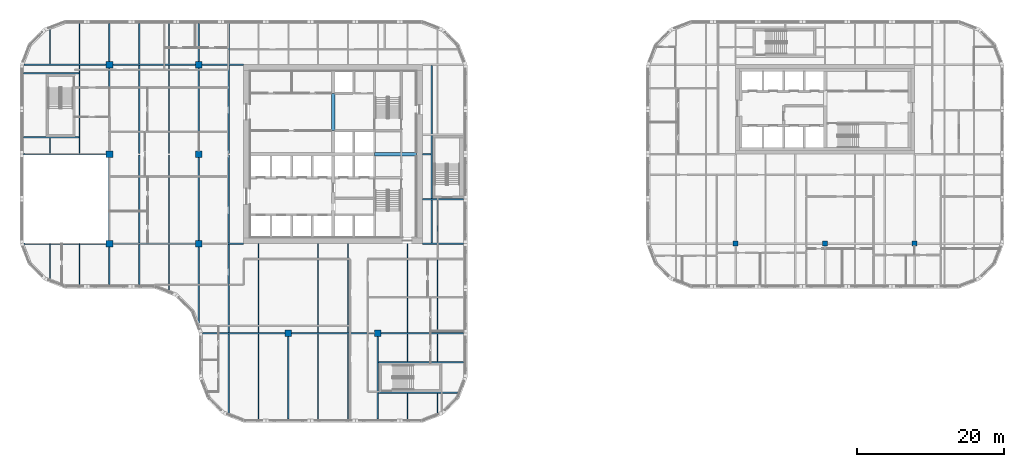
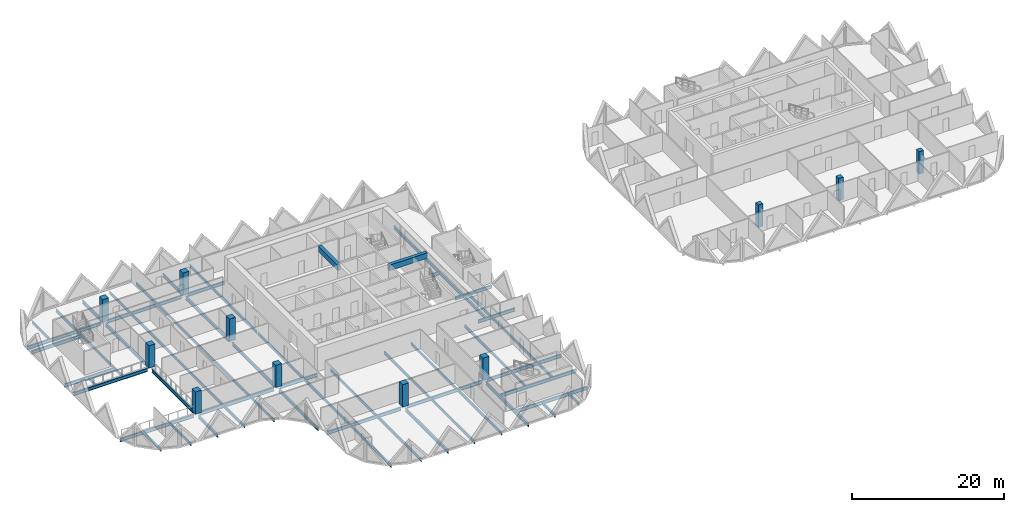
# One storey, part 1 of 19: 62 beams, 11 columns.
"""IFC4 building model written with IfcOpenShell, lengths in metres."""

from ifc_helpers import new_model, si_unit, direction, frame, origin, origin_2d, place, context, subcontext, project, spatial, rectangle, i_section, extrude, material, material_profile, profile_set, type_object, element, save


model = new_model("IFC4")

# Units and contexts
model_context = context("Model", 3, precision=1e-05, world=origin(), true_north=direction((0.0, 1.0)))
body_context = subcontext(model_context, "Body", "Model", "MODEL_VIEW")
ifc_project = project(units=[si_unit("LENGTHUNIT", "METRE"), si_unit("AREAUNIT", "SQUARE_METRE"), si_unit("VOLUMEUNIT", "CUBIC_METRE"), si_unit("PLANEANGLEUNIT", "RADIAN"), si_unit("MASSUNIT", "GRAM", prefix="KILO")], contexts=[model_context])

# Site, building, storey
site_placement = place(None, origin())
site = spatial("IfcSite", under=ifc_project, at=site_placement, CompositionType="ELEMENT")
building_placement = place(site_placement, origin())
building = spatial("IfcBuilding", under=site, at=building_placement, Name="Tessera Gate Towers", CompositionType="ELEMENT")
storey_placement = place(building_placement, frame((0.0, 0.0, 68.60009765625)))
storey = spatial("IfcBuildingStorey", under=building, at=storey_placement, Name="L16", CompositionType="ELEMENT", Elevation=68.60009765625)

# Columns
ifc_material_1 = material(Name="Concrete C70/85", Category="concrete")
ifc_material_profile_1 = material_profile(ifc_material_1, rectangle(XDim=0.699951171875, YDim=0.699951171875, at=origin_2d()), Name="RC 700x700")
ifc_profile_set_1 = profile_set([ifc_material_profile_1], Name="Concrete C70/85")
column_type_1 = type_object("IfcColumnType", Name="COLUMN RC 700x700", PredefinedType="COLUMN", material=ifc_profile_set_1)
for number, where, z_axis, x_axis, name in (
    (1, (97.60009765625, 24.39990234375, 0.0), (0.0, 0.0, 1.0), (1.0, 0.0, 0.0), "T2-COL-9C-L16"),
    (2, (109.800048828125, 24.39990234375, 0.0), (0.0, 0.0, 1.0), (1.0, 0.0, 0.0), "T2-COL-10C-L16"),
    (3, (122.0, 24.39990234375, 0.0), (0.0, 0.0, 1.0), (1.0, 0.0, 0.0), "T2-COL-11C-L16"),
):
    element("IfcColumn", number, at=place(storey_placement, frame(where, z_axis=z_axis, x_axis=x_axis)), inside=storey, type_object=column_type_1, Name=name, PredefinedType="COLUMN", context=body_context, shape_type="SweptSolid", body=[
        extrude(rectangle(XDim=0.699951171875, YDim=0.699951171875, at=origin_2d()), origin(), (0.0, 0.0, 1.0), 3.599853515625),
    ])
ifc_material_2 = material(Name="Concrete C70/85", Category="concrete")
ifc_material_profile_2 = material_profile(ifc_material_2, rectangle(XDim=0.89990234375, YDim=0.89990234375, at=origin_2d()), Name="RC 900x900")
ifc_profile_set_2 = profile_set([ifc_material_profile_2], Name="Concrete C70/85")
column_type_2 = type_object("IfcColumnType", Name="COLUMN RC 900x900", PredefinedType="COLUMN", material=ifc_profile_set_2)
for number, where, z_axis, x_axis, name in (
    (4, (12.199951171875, 24.39990234375, 0.0), (0.0, 0.0, 1.0), (1.0, 0.0, 0.0), "T1-COL-2C-L16"),
    (5, (12.199951171875, 36.60009765625, 0.0), (0.0, 0.0, 1.0), (1.0, 0.0, 0.0), "T1-COL-2D-L16"),
    (6, (12.199951171875, 48.800048828125, 0.0), (0.0, 0.0, 1.0), (1.0, 0.0, 0.0), "T1-COL-2E-L16"),
    (7, (24.39990234375, 24.39990234375, 0.0), (0.0, 0.0, 1.0), (1.0, 0.0, 0.0), "T1-COL-3C-L16"),
    (8, (24.39990234375, 36.60009765625, 0.0), (0.0, 0.0, 1.0), (1.0, 0.0, 0.0), "T1-COL-3D-L16"),
    (9, (24.39990234375, 48.800048828125, 0.0), (0.0, 0.0, 1.0), (1.0, 0.0, 0.0), "T1-COL-3E-L16"),
    (10, (36.60009765625, 12.199951171875, 0.0), (0.0, 0.0, 1.0), (1.0, 0.0, 0.0), "T1-COL-4B-L16"),
    (11, (48.800048828125, 12.199951171875, 0.0), (0.0, 0.0, 1.0), (1.0, 0.0, 0.0), "T1-COL-5B-L16"),
):
    element("IfcColumn", number, at=place(storey_placement, frame(where, z_axis=z_axis, x_axis=x_axis)), inside=storey, type_object=column_type_2, Name=name, PredefinedType="COLUMN", context=body_context, shape_type="SweptSolid", body=[
        extrude(rectangle(XDim=0.89990234375, YDim=0.89990234375, at=origin_2d()), origin(), (0.0, 0.0, 1.0), 3.599853515625),
    ])

# Beams
ifc_material_3 = material(Name="Concrete C60/75", Category="concrete")
ifc_material_profile_3 = material_profile(ifc_material_3, rectangle(XDim=0.5, YDim=0.89990234375, at=origin_2d()), Name="RC 500x900")
ifc_profile_set_3 = profile_set([ifc_material_profile_3], Name="Concrete C60/75")
beam_type_1 = type_object("IfcBeamType", Name="COUPLING BEAM 500x900 C60/75", PredefinedType="BEAM", material=ifc_profile_set_3)
beam_1_placement = place(storey_placement, frame((48.35009765625, 36.60009765625, 3.14990234375), z_axis=(1.0, 0.0, 0.0), x_axis=(0.0, 1.0, 0.0)))
element("IfcBeam", 12, at=beam_1_placement, inside=storey, type_object=beam_type_1, Name="L16 coupling beam 1", PredefinedType="BEAM", context=body_context, shape_type="SweptSolid", body=[
    extrude(rectangle(XDim=0.5, YDim=0.89990234375, at=origin_2d()), origin(), (0.0, 0.0, 1.0), 5.75),
])
beam_2_placement = place(storey_placement, frame((42.699951171875, 39.800048828125, 3.14990234375), z_axis=(0.0, 1.0, 0.0), x_axis=(-1.0, 0.0, 0.0)))
element("IfcBeam", 13, at=beam_2_placement, inside=storey, type_object=beam_type_1, Name="L16 coupling beam 2", PredefinedType="BEAM", context=body_context, shape_type="SweptSolid", body=[
    extrude(rectangle(XDim=0.5, YDim=0.89990234375, at=origin_2d()), origin(), (0.0, 0.0, 1.0), 5.099853515625),
])
ifc_material_4 = material(Name="Steel 350W", Category="steel")
ifc_material_profile_4 = material_profile(ifc_material_4, i_section(OverallWidth=0.208984375, OverallDepth=0.532958984375, WebThickness=0.01025390625, FlangeThickness=0.015625, at=origin_2d()), Name="W530x92")
ifc_profile_set_4 = profile_set([ifc_material_profile_4], Name="Steel 350W")
beam_type_2 = type_object("IfcBeamType", Name="FLOOR GIRDER W530x92", PredefinedType="BEAM", material=ifc_profile_set_4)
beam_3_placement = place(storey_placement, frame((24.89892578125, 12.199951171875, -0.466552734375), z_axis=(1.0, 0.0, 0.0), x_axis=(0.0, 1.0, 0.0)))
element("IfcBeam", 14, at=beam_3_placement, inside=storey, type_object=beam_type_2, Name="T1-GD-L16-2230", PredefinedType="BEAM", context=body_context, shape_type="SweptSolid", body=[
    extrude(i_section(OverallWidth=0.208984375, OverallDepth=0.532958984375, WebThickness=0.01025390625, FlangeThickness=0.015625, at=origin_2d()), origin(), (0.0, 0.0, 1.0), 11.2509765625),
])
beam_4_placement = place(storey_placement, frame((37.050048828125, 12.199951171875, -0.466552734375), z_axis=(1.0, 0.0, 0.0), x_axis=(0.0, 1.0, 0.0)))
element("IfcBeam", 15, at=beam_4_placement, inside=storey, type_object=beam_type_2, Name="T1-GD-L16-2231", PredefinedType="BEAM", context=body_context, shape_type="SweptSolid", body=[
    extrude(i_section(OverallWidth=0.208984375, OverallDepth=0.532958984375, WebThickness=0.01025390625, FlangeThickness=0.015625, at=origin_2d()), origin(), (0.0, 0.0, 1.0), 11.300048828125),
])
beam_5_placement = place(storey_placement, frame((49.25, 12.199951171875, -0.466552734375), z_axis=(1.0, 0.0, 0.0), x_axis=(0.0, 1.0, 0.0)))
element("IfcBeam", 16, at=beam_5_placement, inside=storey, type_object=beam_type_2, Name="T1-GD-L16-2232", PredefinedType="BEAM", context=body_context, shape_type="SweptSolid", body=[
    extrude(i_section(OverallWidth=0.208984375, OverallDepth=0.532958984375, WebThickness=0.01025390625, FlangeThickness=0.015625, at=origin_2d()), origin(), (0.0, 0.0, 1.0), 11.2509765625),
])
beam_6_placement = place(storey_placement, frame((0.534912109375, 24.39990234375, -0.466552734375), z_axis=(1.0, 0.0, 0.0), x_axis=(0.0, 1.0, 0.0)))
element("IfcBeam", 17, at=beam_6_placement, inside=storey, type_object=beam_type_2, Name="T1-GD-L16-2233", PredefinedType="BEAM", context=body_context, shape_type="SweptSolid", body=[
    extrude(i_section(OverallWidth=0.208984375, OverallDepth=0.532958984375, WebThickness=0.01025390625, FlangeThickness=0.015625, at=origin_2d()), origin(), (0.0, 0.0, 1.0), 11.215087890625),
])
beam_7_placement = place(storey_placement, frame((12.64990234375, 24.39990234375, -0.466552734375), z_axis=(1.0, 0.0, 0.0), x_axis=(0.0, 1.0, 0.0)))
element("IfcBeam", 18, at=beam_7_placement, inside=storey, type_object=beam_type_2, Name="T1-GD-L16-2234", PredefinedType="BEAM", context=body_context, shape_type="SweptSolid", body=[
    extrude(i_section(OverallWidth=0.208984375, OverallDepth=0.532958984375, WebThickness=0.01025390625, FlangeThickness=0.015625, at=origin_2d()), origin(), (0.0, 0.0, 1.0), 11.300048828125),
])
beam_8_placement = place(storey_placement, frame((24.85009765625, 24.39990234375, -0.466552734375), z_axis=(1.0, 0.0, 0.0), x_axis=(0.0, 1.0, 0.0)))
element("IfcBeam", 19, at=beam_8_placement, inside=storey, type_object=beam_type_2, Name="T1-GD-L16-2235", PredefinedType="BEAM", context=body_context, shape_type="SweptSolid", body=[
    extrude(i_section(OverallWidth=0.208984375, OverallDepth=0.532958984375, WebThickness=0.01025390625, FlangeThickness=0.015625, at=origin_2d()), origin(), (0.0, 0.0, 1.0), 5.64892578125),
])
beam_9_placement = place(storey_placement, frame((54.90087890625, 24.39990234375, -0.466552734375), z_axis=(1.0, 0.0, 0.0), x_axis=(0.0, 1.0, 0.0)))
element("IfcBeam", 20, at=beam_9_placement, inside=storey, type_object=beam_type_2, Name="T1-GD-L16-2236", PredefinedType="BEAM", context=body_context, shape_type="SweptSolid", body=[
    extrude(i_section(OverallWidth=0.208984375, OverallDepth=0.532958984375, WebThickness=0.01025390625, FlangeThickness=0.015625, at=origin_2d()), origin(), (0.0, 0.0, 1.0), 5.60009765625),
])
beam_10_placement = place(storey_placement, frame((0.4990234375, 36.60009765625, -0.466552734375), z_axis=(1.0, 0.0, 0.0), x_axis=(0.0, 1.0, 0.0)))
element("IfcBeam", 21, at=beam_10_placement, inside=storey, type_object=beam_type_2, Name="T1-GD-L16-2237", PredefinedType="BEAM", context=body_context, shape_type="SweptSolid", body=[
    extrude(i_section(OverallWidth=0.208984375, OverallDepth=0.532958984375, WebThickness=0.01025390625, FlangeThickness=0.015625, at=origin_2d()), origin(), (0.0, 0.0, 1.0), 11.2509765625),
])
beam_11_placement = place(storey_placement, frame((54.89892578125, 36.60009765625, -0.466552734375), z_axis=(1.0, 0.0, 0.0), x_axis=(0.0, 1.0, 0.0)))
element("IfcBeam", 22, at=beam_11_placement, inside=storey, type_object=beam_type_2, Name="T1-GD-L16-2238", PredefinedType="BEAM", context=body_context, shape_type="SweptSolid", body=[
    extrude(i_section(OverallWidth=0.208984375, OverallDepth=0.532958984375, WebThickness=0.01025390625, FlangeThickness=0.015625, at=origin_2d()), origin(), (0.0, 0.0, 1.0), 1.176513671875),
])
beam_12_placement = place(storey_placement, frame((0.534912109375, 48.800048828125, -0.466552734375), z_axis=(1.0, 0.0, 0.0), x_axis=(0.0, 1.0, 0.0)))
element("IfcBeam", 23, at=beam_12_placement, inside=storey, type_object=beam_type_2, Name="T1-GD-L16-2239", PredefinedType="BEAM", context=body_context, shape_type="SweptSolid", body=[
    extrude(i_section(OverallWidth=0.208984375, OverallDepth=0.532958984375, WebThickness=0.01025390625, FlangeThickness=0.015625, at=origin_2d()), origin(), (0.0, 0.0, 1.0), 11.215087890625),
])
beam_13_placement = place(storey_placement, frame((12.64990234375, 48.800048828125, -0.466552734375), z_axis=(1.0, 0.0, 0.0), x_axis=(0.0, 1.0, 0.0)))
element("IfcBeam", 24, at=beam_13_placement, inside=storey, type_object=beam_type_2, Name="T1-GD-L16-2240", PredefinedType="BEAM", context=body_context, shape_type="SweptSolid", body=[
    extrude(i_section(OverallWidth=0.208984375, OverallDepth=0.532958984375, WebThickness=0.01025390625, FlangeThickness=0.015625, at=origin_2d()), origin(), (0.0, 0.0, 1.0), 11.300048828125),
])
beam_14_placement = place(storey_placement, frame((24.85009765625, 48.800048828125, -0.466552734375), z_axis=(1.0, 0.0, 0.0), x_axis=(0.0, 1.0, 0.0)))
element("IfcBeam", 25, at=beam_14_placement, inside=storey, type_object=beam_type_2, Name="T1-GD-L16-2241", PredefinedType="BEAM", context=body_context, shape_type="SweptSolid", body=[
    extrude(i_section(OverallWidth=0.208984375, OverallDepth=0.532958984375, WebThickness=0.01025390625, FlangeThickness=0.015625, at=origin_2d()), origin(), (0.0, 0.0, 1.0), 5.64892578125),
])
beam_15_placement = place(storey_placement, frame((12.199951171875, 18.799072265625, -0.466552734375), z_axis=(0.0, 1.0, 0.0), x_axis=(-1.0, 0.0, 0.0)))
element("IfcBeam", 26, at=beam_15_placement, inside=storey, type_object=beam_type_2, Name="T1-GD-L16-2243", PredefinedType="BEAM", context=body_context, shape_type="SweptSolid", body=[
    extrude(i_section(OverallWidth=0.208984375, OverallDepth=0.532958984375, WebThickness=0.01025390625, FlangeThickness=0.015625, at=origin_2d()), origin(), (0.0, 0.0, 1.0), 5.15087890625),
])
beam_16_placement = place(storey_placement, frame((12.199951171875, 24.85009765625, -0.466552734375), z_axis=(0.0, 1.0, 0.0), x_axis=(-1.0, 0.0, 0.0)))
element("IfcBeam", 27, at=beam_16_placement, inside=storey, type_object=beam_type_2, Name="T1-GD-L16-2244", PredefinedType="BEAM", context=body_context, shape_type="SweptSolid", body=[
    extrude(i_section(OverallWidth=0.208984375, OverallDepth=0.532958984375, WebThickness=0.01025390625, FlangeThickness=0.015625, at=origin_2d()), origin(), (0.0, 0.0, 1.0), 11.2998046875),
])
beam_17_placement = place(storey_placement, frame((12.199951171875, 37.050048828125, -0.466552734375), z_axis=(0.0, 1.0, 0.0), x_axis=(-1.0, 0.0, 0.0)))
element("IfcBeam", 28, at=beam_17_placement, inside=storey, type_object=beam_type_2, Name="T1-GD-L16-2245", PredefinedType="BEAM", context=body_context, shape_type="SweptSolid", body=[
    extrude(i_section(OverallWidth=0.208984375, OverallDepth=0.532958984375, WebThickness=0.01025390625, FlangeThickness=0.015625, at=origin_2d()), origin(), (0.0, 0.0, 1.0), 11.300048828125),
])
beam_18_placement = place(storey_placement, frame((12.199951171875, 49.25, -0.466552734375), z_axis=(0.0, 1.0, 0.0), x_axis=(-1.0, 0.0, 0.0)))
element("IfcBeam", 29, at=beam_18_placement, inside=storey, type_object=beam_type_2, Name="T1-GD-L16-2246", PredefinedType="BEAM", context=body_context, shape_type="SweptSolid", body=[
    extrude(i_section(OverallWidth=0.208984375, OverallDepth=0.532958984375, WebThickness=0.01025390625, FlangeThickness=0.015625, at=origin_2d()), origin(), (0.0, 0.0, 1.0), 5.15087890625),
])
beam_19_placement = place(storey_placement, frame((24.39990234375, 13.58642578125, -0.466552734375), z_axis=(0.0, 1.0, 0.0), x_axis=(-1.0, 0.0, 0.0)))
element("IfcBeam", 30, at=beam_19_placement, inside=storey, type_object=beam_type_2, Name="T1-GD-L16-2247", PredefinedType="BEAM", context=body_context, shape_type="SweptSolid", body=[
    extrude(i_section(OverallWidth=0.208984375, OverallDepth=0.532958984375, WebThickness=0.01025390625, FlangeThickness=0.015625, at=origin_2d()), origin(), (0.0, 0.0, 1.0), 10.363525390625),
])
beam_20_placement = place(storey_placement, frame((24.39990234375, 24.85009765625, -0.466552734375), z_axis=(0.0, 1.0, 0.0), x_axis=(-1.0, 0.0, 0.0)))
element("IfcBeam", 31, at=beam_20_placement, inside=storey, type_object=beam_type_2, Name="T1-GD-L16-2248", PredefinedType="BEAM", context=body_context, shape_type="SweptSolid", body=[
    extrude(i_section(OverallWidth=0.208984375, OverallDepth=0.532958984375, WebThickness=0.01025390625, FlangeThickness=0.015625, at=origin_2d()), origin(), (0.0, 0.0, 1.0), 11.2998046875),
])
beam_21_placement = place(storey_placement, frame((24.39990234375, 37.050048828125, -0.466552734375), z_axis=(0.0, 1.0, 0.0), x_axis=(-1.0, 0.0, 0.0)))
element("IfcBeam", 32, at=beam_21_placement, inside=storey, type_object=beam_type_2, Name="T1-GD-L16-2249", PredefinedType="BEAM", context=body_context, shape_type="SweptSolid", body=[
    extrude(i_section(OverallWidth=0.208984375, OverallDepth=0.532958984375, WebThickness=0.01025390625, FlangeThickness=0.015625, at=origin_2d()), origin(), (0.0, 0.0, 1.0), 11.300048828125),
])
beam_22_placement = place(storey_placement, frame((24.39990234375, 49.25, -0.466552734375), z_axis=(0.0, 1.0, 0.0), x_axis=(-1.0, 0.0, 0.0)))
element("IfcBeam", 33, at=beam_22_placement, inside=storey, type_object=beam_type_2, Name="T1-GD-L16-2250", PredefinedType="BEAM", context=body_context, shape_type="SweptSolid", body=[
    extrude(i_section(OverallWidth=0.208984375, OverallDepth=0.532958984375, WebThickness=0.01025390625, FlangeThickness=0.015625, at=origin_2d()), origin(), (0.0, 0.0, 1.0), 5.15087890625),
])
for number, where, z_axis, x_axis, name in (
    (34, (36.60009765625, 0.4990234375, -0.466552734375), (0.0, 1.0, 0.0), (-1.0, 0.0, 0.0), "T1-GD-L16-2251"),
    (35, (48.800048828125, 0.4990234375, -0.466552734375), (0.0, 1.0, 0.0), (-1.0, 0.0, 0.0), "T1-GD-L16-2252"),
):
    element("IfcBeam", number, at=place(storey_placement, frame(where, z_axis=z_axis, x_axis=x_axis)), inside=storey, type_object=beam_type_2, Name=name, PredefinedType="BEAM", context=body_context, shape_type="SweptSolid", body=[
        extrude(i_section(OverallWidth=0.208984375, OverallDepth=0.532958984375, WebThickness=0.01025390625, FlangeThickness=0.015625, at=origin_2d()), origin(), (0.0, 0.0, 1.0), 11.2509765625),
    ])
for number, where, z_axis, x_axis, name in (
    (36, (0.4990234375, 38.8798828125, -0.466552734375), (1.0, 0.0, 0.0), (0.0, 1.0, 0.0), "T1-GD-L16-2253"),
    (37, (0.4990234375, 47.6201171875, -0.466552734375), (1.0, 0.0, 0.0), (0.0, 1.0, 0.0), "T1-GD-L16-2254"),
):
    element("IfcBeam", number, at=place(storey_placement, frame(where, z_axis=z_axis, x_axis=x_axis)), inside=storey, type_object=beam_type_2, Name=name, PredefinedType="BEAM", context=body_context, shape_type="SweptSolid", body=[
        extrude(i_section(OverallWidth=0.208984375, OverallDepth=0.532958984375, WebThickness=0.01025390625, FlangeThickness=0.015625, at=origin_2d()), origin(), (0.0, 0.0, 1.0), 7.557861328125),
    ])
beam_23_placement = place(storey_placement, frame((48.87646484375, 4.080078125, -0.466552734375), z_axis=(1.0, 0.0, 0.0), x_axis=(0.0, 1.0, 0.0)))
element("IfcBeam", 38, at=beam_23_placement, inside=storey, type_object=beam_type_2, Name="T1-GD-L16-2255", PredefinedType="BEAM", context=body_context, shape_type="SweptSolid", body=[
    extrude(i_section(OverallWidth=0.208984375, OverallDepth=0.532958984375, WebThickness=0.01025390625, FlangeThickness=0.015625, at=origin_2d()), origin(), (0.0, 0.0, 1.0), 10.809326171875),
])
beam_24_placement = place(storey_placement, frame((48.87646484375, 8.219970703125, -0.466552734375), z_axis=(1.0, 0.0, 0.0), x_axis=(0.0, 1.0, 0.0)))
element("IfcBeam", 39, at=beam_24_placement, inside=storey, type_object=beam_type_2, Name="T1-GD-L16-2256", PredefinedType="BEAM", context=body_context, shape_type="SweptSolid", body=[
    extrude(i_section(OverallWidth=0.208984375, OverallDepth=0.532958984375, WebThickness=0.01025390625, FlangeThickness=0.015625, at=origin_2d()), origin(), (0.0, 0.0, 1.0), 11.62451171875),
])
beam_25_placement = place(storey_placement, frame((54.89892578125, 30.47998046875, -0.466552734375), z_axis=(1.0, 0.0, 0.0), x_axis=(0.0, 1.0, 0.0)))
element("IfcBeam", 40, at=beam_25_placement, inside=storey, type_object=beam_type_2, Name="T1-GD-L16-2257", PredefinedType="BEAM", context=body_context, shape_type="SweptSolid", body=[
    extrude(i_section(OverallWidth=0.208984375, OverallDepth=0.532958984375, WebThickness=0.01025390625, FlangeThickness=0.015625, at=origin_2d()), origin(), (0.0, 0.0, 1.0), 5.60205078125),
])
beam_26_placement = place(storey_placement, frame((56.179931640625, 24.50439453125, -0.466552734375), z_axis=(0.0, 1.0, 0.0), x_axis=(-1.0, 0.0, 0.0)))
element("IfcBeam", 41, at=beam_26_placement, inside=storey, type_object=beam_type_2, Name="T1-GD-L16-2259", PredefinedType="BEAM", context=body_context, shape_type="SweptSolid", body=[
    extrude(i_section(OverallWidth=0.208984375, OverallDepth=0.532958984375, WebThickness=0.01025390625, FlangeThickness=0.015625, at=origin_2d()), origin(), (0.0, 0.0, 1.0), 24.191162109375),
])
ifc_material_5 = material(Name="Steel 350W", Category="steel")
ifc_material_profile_5 = material_profile(ifc_material_5, i_section(OverallWidth=0.153076171875, OverallDepth=0.455078125, WebThickness=0.008056640625, FlangeThickness=0.01318359375, at=origin_2d()), Name="W460x60")
ifc_profile_set_5 = profile_set([ifc_material_profile_5], Name="Steel 350W")
beam_type_3 = type_object("IfcBeamType", Name="FLOOR SECONDARY W460x60", PredefinedType="BEAM", material=ifc_profile_set_5)
beam_27_placement = place(storey_placement, frame((4.066650390625, 19.620361328125, -0.427490234375), z_axis=(0.0, 1.0, 0.0), x_axis=(-1.0, 0.0, 0.0)))
element("IfcBeam", 42, at=beam_27_placement, inside=storey, type_object=beam_type_3, Name="T1-BM-L16-2260", PredefinedType="BEAM", context=body_context, shape_type="SweptSolid", body=[
    extrude(i_section(OverallWidth=0.153076171875, OverallDepth=0.455078125, WebThickness=0.008056640625, FlangeThickness=0.01318359375, at=origin_2d()), origin(), (0.0, 0.0, 1.0), 4.779541015625),
])
beam_28_placement = place(storey_placement, frame((4.066650390625, 36.70458984375, -0.427490234375), z_axis=(0.0, 1.0, 0.0), x_axis=(-1.0, 0.0, 0.0)))
element("IfcBeam", 43, at=beam_28_placement, inside=storey, type_object=beam_type_3, Name="T1-BM-L16-2261", PredefinedType="BEAM", context=body_context, shape_type="SweptSolid", body=[
    extrude(i_section(OverallWidth=0.153076171875, OverallDepth=0.455078125, WebThickness=0.008056640625, FlangeThickness=0.01318359375, at=origin_2d()), origin(), (0.0, 0.0, 1.0), 2.07080078125),
])
beam_29_placement = place(storey_placement, frame((4.066650390625, 48.904541015625, -0.427490234375), z_axis=(0.0, 1.0, 0.0), x_axis=(-1.0, 0.0, 0.0)))
element("IfcBeam", 44, at=beam_29_placement, inside=storey, type_object=beam_type_3, Name="T1-BM-L16-2262", PredefinedType="BEAM", context=body_context, shape_type="SweptSolid", body=[
    extrude(i_section(OverallWidth=0.153076171875, OverallDepth=0.455078125, WebThickness=0.008056640625, FlangeThickness=0.01318359375, at=origin_2d()), origin(), (0.0, 0.0, 1.0), 4.675048828125),
])
beam_30_placement = place(storey_placement, frame((8.13330078125, 18.800048828125, -0.427490234375), z_axis=(0.0, 1.0, 0.0), x_axis=(-1.0, 0.0, 0.0)))
element("IfcBeam", 45, at=beam_30_placement, inside=storey, type_object=beam_type_3, Name="T1-BM-L16-2263", PredefinedType="BEAM", context=body_context, shape_type="SweptSolid", body=[
    extrude(i_section(OverallWidth=0.153076171875, OverallDepth=0.455078125, WebThickness=0.008056640625, FlangeThickness=0.01318359375, at=origin_2d()), origin(), (0.0, 0.0, 1.0), 5.599853515625),
])
beam_31_placement = place(storey_placement, frame((8.13330078125, 36.70458984375, -0.427490234375), z_axis=(0.0, 1.0, 0.0), x_axis=(-1.0, 0.0, 0.0)))
element("IfcBeam", 46, at=beam_31_placement, inside=storey, type_object=beam_type_3, Name="T1-BM-L16-2264", PredefinedType="BEAM", context=body_context, shape_type="SweptSolid", body=[
    extrude(i_section(OverallWidth=0.153076171875, OverallDepth=0.455078125, WebThickness=0.008056640625, FlangeThickness=0.01318359375, at=origin_2d()), origin(), (0.0, 0.0, 1.0), 11.990966796875),
])
for number, where, z_axis, x_axis, name in (
    (47, (8.13330078125, 48.904541015625, -0.427490234375), (0.0, 1.0, 0.0), (-1.0, 0.0, 0.0), "T1-BM-L16-2265"),
    (48, (16.2666015625, 18.800048828125, -0.427490234375), (0.0, 1.0, 0.0), (-1.0, 0.0, 0.0), "T1-BM-L16-2266"),
):
    element("IfcBeam", number, at=place(storey_placement, frame(where, z_axis=z_axis, x_axis=x_axis)), inside=storey, type_object=beam_type_3, Name=name, PredefinedType="BEAM", context=body_context, shape_type="SweptSolid", body=[
        extrude(i_section(OverallWidth=0.153076171875, OverallDepth=0.455078125, WebThickness=0.008056640625, FlangeThickness=0.01318359375, at=origin_2d()), origin(), (0.0, 0.0, 1.0), 5.495361328125),
    ])
for number, where, z_axis, x_axis, name in (
    (49, (16.2666015625, 24.50439453125, -0.427490234375), (0.0, 1.0, 0.0), (-1.0, 0.0, 0.0), "T1-BM-L16-2267"),
    (50, (16.2666015625, 36.679931640625, -0.427490234375), (0.0, 1.0, 0.0), (-1.0, 0.0, 0.0), "T1-BM-L16-2268"),
):
    element("IfcBeam", number, at=place(storey_placement, frame(where, z_axis=z_axis, x_axis=x_axis)), inside=storey, type_object=beam_type_3, Name=name, PredefinedType="BEAM", context=body_context, shape_type="SweptSolid", body=[
        extrude(i_section(OverallWidth=0.153076171875, OverallDepth=0.455078125, WebThickness=0.008056640625, FlangeThickness=0.01318359375, at=origin_2d()), origin(), (0.0, 0.0, 1.0), 12.015625),
    ])
beam_32_placement = place(storey_placement, frame((16.2666015625, 48.904541015625, -0.427490234375), z_axis=(0.0, 1.0, 0.0), x_axis=(-1.0, 0.0, 0.0)))
element("IfcBeam", 51, at=beam_32_placement, inside=storey, type_object=beam_type_3, Name="T1-BM-L16-2269", PredefinedType="BEAM", context=body_context, shape_type="SweptSolid", body=[
    extrude(i_section(OverallWidth=0.153076171875, OverallDepth=0.455078125, WebThickness=0.008056640625, FlangeThickness=0.01318359375, at=origin_2d()), origin(), (0.0, 0.0, 1.0), 5.495361328125),
])
beam_33_placement = place(storey_placement, frame((20.333251953125, 18.051513671875, -0.427490234375), z_axis=(0.0, 1.0, 0.0), x_axis=(-1.0, 0.0, 0.0)))
element("IfcBeam", 52, at=beam_33_placement, inside=storey, type_object=beam_type_3, Name="T1-BM-L16-2270", PredefinedType="BEAM", context=body_context, shape_type="SweptSolid", body=[
    extrude(i_section(OverallWidth=0.153076171875, OverallDepth=0.455078125, WebThickness=0.008056640625, FlangeThickness=0.01318359375, at=origin_2d()), origin(), (0.0, 0.0, 1.0), 6.243896484375),
])
for number, where, z_axis, x_axis, name in (
    (53, (20.333251953125, 24.50439453125, -0.427490234375), (0.0, 1.0, 0.0), (-1.0, 0.0, 0.0), "T1-BM-L16-2271"),
    (54, (20.333251953125, 36.679931640625, -0.427490234375), (0.0, 1.0, 0.0), (-1.0, 0.0, 0.0), "T1-BM-L16-2272"),
):
    element("IfcBeam", number, at=place(storey_placement, frame(where, z_axis=z_axis, x_axis=x_axis)), inside=storey, type_object=beam_type_3, Name=name, PredefinedType="BEAM", context=body_context, shape_type="SweptSolid", body=[
        extrude(i_section(OverallWidth=0.153076171875, OverallDepth=0.455078125, WebThickness=0.008056640625, FlangeThickness=0.01318359375, at=origin_2d()), origin(), (0.0, 0.0, 1.0), 12.015625),
    ])
beam_34_placement = place(storey_placement, frame((20.333251953125, 48.904541015625, -0.427490234375), z_axis=(0.0, 1.0, 0.0), x_axis=(-1.0, 0.0, 0.0)))
element("IfcBeam", 55, at=beam_34_placement, inside=storey, type_object=beam_type_3, Name="T1-BM-L16-2273", PredefinedType="BEAM", context=body_context, shape_type="SweptSolid", body=[
    extrude(i_section(OverallWidth=0.153076171875, OverallDepth=0.455078125, WebThickness=0.008056640625, FlangeThickness=0.01318359375, at=origin_2d()), origin(), (0.0, 0.0, 1.0), 5.495361328125),
])
beam_35_placement = place(storey_placement, frame((28.466796875, 1.3203125, -0.427490234375), z_axis=(0.0, 1.0, 0.0), x_axis=(-1.0, 0.0, 0.0)))
element("IfcBeam", 56, at=beam_35_placement, inside=storey, type_object=beam_type_3, Name="T1-BM-L16-2274", PredefinedType="BEAM", context=body_context, shape_type="SweptSolid", body=[
    extrude(i_section(OverallWidth=0.153076171875, OverallDepth=0.455078125, WebThickness=0.008056640625, FlangeThickness=0.01318359375, at=origin_2d()), origin(), (0.0, 0.0, 1.0), 10.775146484375),
])
beam_36_placement = place(storey_placement, frame((28.466796875, 12.304443359375, -0.427490234375), z_axis=(0.0, 1.0, 0.0), x_axis=(-1.0, 0.0, 0.0)))
element("IfcBeam", 57, at=beam_36_placement, inside=storey, type_object=beam_type_3, Name="T1-BM-L16-2275", PredefinedType="BEAM", context=body_context, shape_type="SweptSolid", body=[
    extrude(i_section(OverallWidth=0.153076171875, OverallDepth=0.455078125, WebThickness=0.008056640625, FlangeThickness=0.01318359375, at=origin_2d()), origin(), (0.0, 0.0, 1.0), 11.990966796875),
])
for number, where, z_axis, x_axis, name in (
    (58, (28.466796875, 24.50439453125, -0.427490234375), (0.0, 1.0, 0.0), (-1.0, 0.0, 0.0), "T1-BM-L16-2276"),
    (59, (28.466796875, 36.679931640625, -0.427490234375), (0.0, 1.0, 0.0), (-1.0, 0.0, 0.0), "T1-BM-L16-2277"),
):
    element("IfcBeam", number, at=place(storey_placement, frame(where, z_axis=z_axis, x_axis=x_axis)), inside=storey, type_object=beam_type_3, Name=name, PredefinedType="BEAM", context=body_context, shape_type="SweptSolid", body=[
        extrude(i_section(OverallWidth=0.153076171875, OverallDepth=0.455078125, WebThickness=0.008056640625, FlangeThickness=0.01318359375, at=origin_2d()), origin(), (0.0, 0.0, 1.0), 12.015625),
    ])
beam_37_placement = place(storey_placement, frame((28.466796875, 48.904541015625, -0.427490234375), z_axis=(0.0, 1.0, 0.0), x_axis=(-1.0, 0.0, 0.0)))
element("IfcBeam", 60, at=beam_37_placement, inside=storey, type_object=beam_type_3, Name="T1-BM-L16-2278", PredefinedType="BEAM", context=body_context, shape_type="SweptSolid", body=[
    extrude(i_section(OverallWidth=0.153076171875, OverallDepth=0.455078125, WebThickness=0.008056640625, FlangeThickness=0.01318359375, at=origin_2d()), origin(), (0.0, 0.0, 1.0), 5.495361328125),
])
beam_38_placement = place(storey_placement, frame((32.533203125, 0.5, -0.427490234375), z_axis=(0.0, 1.0, 0.0), x_axis=(-1.0, 0.0, 0.0)))
element("IfcBeam", 61, at=beam_38_placement, inside=storey, type_object=beam_type_3, Name="T1-BM-L16-2279", PredefinedType="BEAM", context=body_context, shape_type="SweptSolid", body=[
    extrude(i_section(OverallWidth=0.153076171875, OverallDepth=0.455078125, WebThickness=0.008056640625, FlangeThickness=0.01318359375, at=origin_2d()), origin(), (0.0, 0.0, 1.0), 11.595458984375),
])
beam_39_placement = place(storey_placement, frame((32.533203125, 12.304443359375, -0.427490234375), z_axis=(0.0, 1.0, 0.0), x_axis=(-1.0, 0.0, 0.0)))
element("IfcBeam", 62, at=beam_39_placement, inside=storey, type_object=beam_type_3, Name="T1-BM-L16-2280", PredefinedType="BEAM", context=body_context, shape_type="SweptSolid", body=[
    extrude(i_section(OverallWidth=0.153076171875, OverallDepth=0.455078125, WebThickness=0.008056640625, FlangeThickness=0.01318359375, at=origin_2d()), origin(), (0.0, 0.0, 1.0), 12.095458984375),
])
beam_40_placement = place(storey_placement, frame((40.666748046875, 0.5, -0.427490234375), z_axis=(0.0, 1.0, 0.0), x_axis=(-1.0, 0.0, 0.0)))
element("IfcBeam", 63, at=beam_40_placement, inside=storey, type_object=beam_type_3, Name="T1-BM-L16-2283", PredefinedType="BEAM", context=body_context, shape_type="SweptSolid", body=[
    extrude(i_section(OverallWidth=0.153076171875, OverallDepth=0.455078125, WebThickness=0.008056640625, FlangeThickness=0.01318359375, at=origin_2d()), origin(), (0.0, 0.0, 1.0), 11.595458984375),
])
beam_41_placement = place(storey_placement, frame((40.666748046875, 12.304443359375, -0.427490234375), z_axis=(0.0, 1.0, 0.0), x_axis=(-1.0, 0.0, 0.0)))
element("IfcBeam", 64, at=beam_41_placement, inside=storey, type_object=beam_type_3, Name="T1-BM-L16-2284", PredefinedType="BEAM", context=body_context, shape_type="SweptSolid", body=[
    extrude(i_section(OverallWidth=0.153076171875, OverallDepth=0.455078125, WebThickness=0.008056640625, FlangeThickness=0.01318359375, at=origin_2d()), origin(), (0.0, 0.0, 1.0), 12.095458984375),
])
beam_42_placement = place(storey_placement, frame((44.7333984375, 0.5, -0.427490234375), z_axis=(0.0, 1.0, 0.0), x_axis=(-1.0, 0.0, 0.0)))
element("IfcBeam", 65, at=beam_42_placement, inside=storey, type_object=beam_type_3, Name="T1-BM-L16-2286", PredefinedType="BEAM", context=body_context, shape_type="SweptSolid", body=[
    extrude(i_section(OverallWidth=0.153076171875, OverallDepth=0.455078125, WebThickness=0.008056640625, FlangeThickness=0.01318359375, at=origin_2d()), origin(), (0.0, 0.0, 1.0), 11.595458984375),
])
beam_43_placement = place(storey_placement, frame((44.7333984375, 12.304443359375, -0.427490234375), z_axis=(0.0, 1.0, 0.0), x_axis=(-1.0, 0.0, 0.0)))
element("IfcBeam", 66, at=beam_43_placement, inside=storey, type_object=beam_type_3, Name="T1-BM-L16-2287", PredefinedType="BEAM", context=body_context, shape_type="SweptSolid", body=[
    extrude(i_section(OverallWidth=0.153076171875, OverallDepth=0.455078125, WebThickness=0.008056640625, FlangeThickness=0.01318359375, at=origin_2d()), origin(), (0.0, 0.0, 1.0), 12.095458984375),
])
beam_44_placement = place(storey_placement, frame((52.86669921875, 0.5, -0.427490234375), z_axis=(0.0, 1.0, 0.0), x_axis=(-1.0, 0.0, 0.0)))
element("IfcBeam", 67, at=beam_44_placement, inside=storey, type_object=beam_type_3, Name="T1-BM-L16-2290", PredefinedType="BEAM", context=body_context, shape_type="SweptSolid", body=[
    extrude(i_section(OverallWidth=0.153076171875, OverallDepth=0.455078125, WebThickness=0.008056640625, FlangeThickness=0.01318359375, at=origin_2d()), origin(), (0.0, 0.0, 1.0), 3.4755859375),
])
beam_45_placement = place(storey_placement, frame((52.86669921875, 8.324462890625, -0.427490234375), z_axis=(0.0, 1.0, 0.0), x_axis=(-1.0, 0.0, 0.0)))
element("IfcBeam", 68, at=beam_45_placement, inside=storey, type_object=beam_type_3, Name="T1-BM-L16-2291", PredefinedType="BEAM", context=body_context, shape_type="SweptSolid", body=[
    extrude(i_section(OverallWidth=0.153076171875, OverallDepth=0.455078125, WebThickness=0.008056640625, FlangeThickness=0.01318359375, at=origin_2d()), origin(), (0.0, 0.0, 1.0), 3.77099609375),
])
beam_46_placement = place(storey_placement, frame((52.86669921875, 12.304443359375, -0.427490234375), z_axis=(0.0, 1.0, 0.0), x_axis=(-1.0, 0.0, 0.0)))
element("IfcBeam", 69, at=beam_46_placement, inside=storey, type_object=beam_type_3, Name="T1-BM-L16-2292", PredefinedType="BEAM", context=body_context, shape_type="SweptSolid", body=[
    extrude(i_section(OverallWidth=0.153076171875, OverallDepth=0.455078125, WebThickness=0.008056640625, FlangeThickness=0.01318359375, at=origin_2d()), origin(), (0.0, 0.0, 1.0), 12.095458984375),
])
beam_47_placement = place(storey_placement, frame((56.933349609375, 1.3203125, -0.427490234375), z_axis=(0.0, 1.0, 0.0), x_axis=(-1.0, 0.0, 0.0)))
element("IfcBeam", 70, at=beam_47_placement, inside=storey, type_object=beam_type_3, Name="T1-BM-L16-2294", PredefinedType="BEAM", context=body_context, shape_type="SweptSolid", body=[
    extrude(i_section(OverallWidth=0.153076171875, OverallDepth=0.455078125, WebThickness=0.008056640625, FlangeThickness=0.01318359375, at=origin_2d()), origin(), (0.0, 0.0, 1.0), 2.6552734375),
])
beam_48_placement = place(storey_placement, frame((56.933349609375, 8.324462890625, -0.427490234375), z_axis=(0.0, 1.0, 0.0), x_axis=(-1.0, 0.0, 0.0)))
element("IfcBeam", 71, at=beam_48_placement, inside=storey, type_object=beam_type_3, Name="T1-BM-L16-2295", PredefinedType="BEAM", context=body_context, shape_type="SweptSolid", body=[
    extrude(i_section(OverallWidth=0.153076171875, OverallDepth=0.455078125, WebThickness=0.008056640625, FlangeThickness=0.01318359375, at=origin_2d()), origin(), (0.0, 0.0, 1.0), 3.77099609375),
])
beam_49_placement = place(storey_placement, frame((56.933349609375, 12.304443359375, -0.427490234375), z_axis=(0.0, 1.0, 0.0), x_axis=(-1.0, 0.0, 0.0)))
element("IfcBeam", 72, at=beam_49_placement, inside=storey, type_object=beam_type_3, Name="T1-BM-L16-2296", PredefinedType="BEAM", context=body_context, shape_type="SweptSolid", body=[
    extrude(i_section(OverallWidth=0.153076171875, OverallDepth=0.455078125, WebThickness=0.008056640625, FlangeThickness=0.01318359375, at=origin_2d()), origin(), (0.0, 0.0, 1.0), 11.990966796875),
])
beam_50_placement = place(storey_placement, frame((56.933349609375, 24.50439453125, -0.427490234375), z_axis=(0.0, 1.0, 0.0), x_axis=(-1.0, 0.0, 0.0)))
element("IfcBeam", 73, at=beam_50_placement, inside=storey, type_object=beam_type_3, Name="T1-BM-L16-2297", PredefinedType="BEAM", context=body_context, shape_type="SweptSolid", body=[
    extrude(i_section(OverallWidth=0.153076171875, OverallDepth=0.455078125, WebThickness=0.008056640625, FlangeThickness=0.01318359375, at=origin_2d()), origin(), (0.0, 0.0, 1.0), 5.87109375),
])

save(model, "model.ifc")
